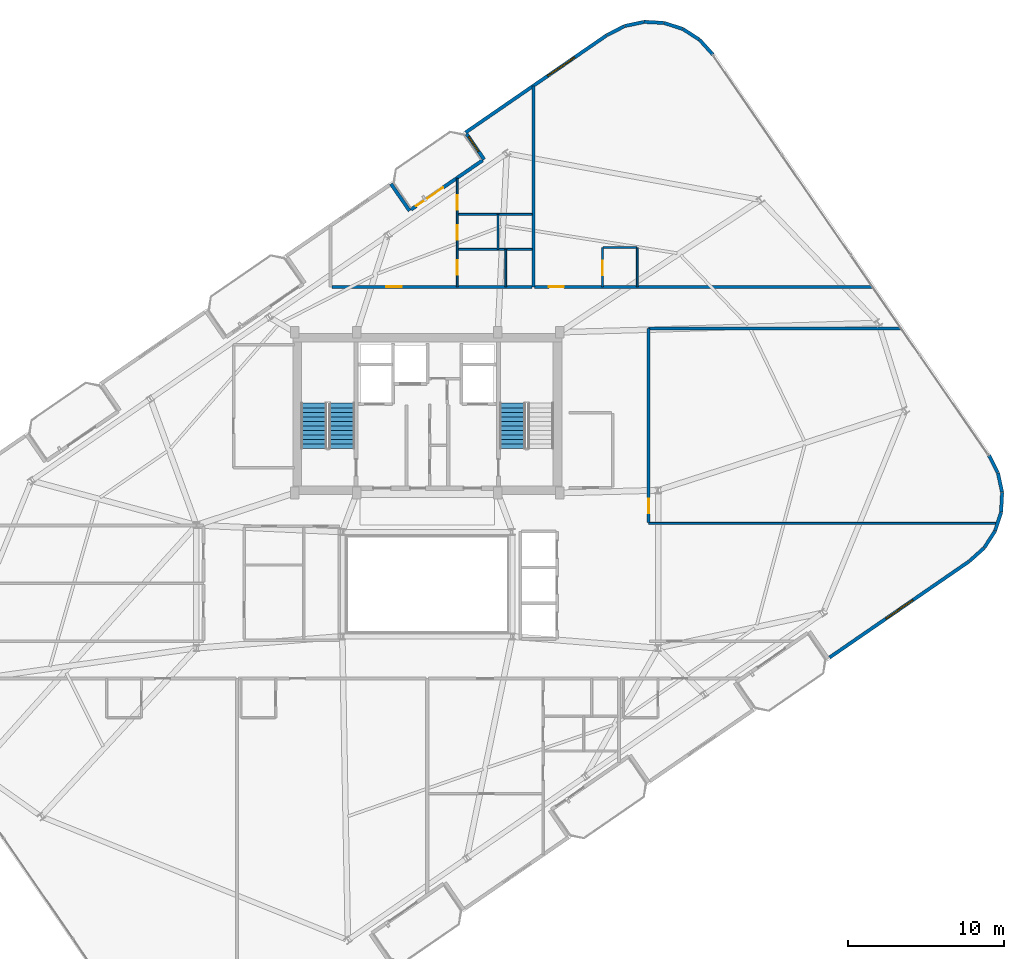
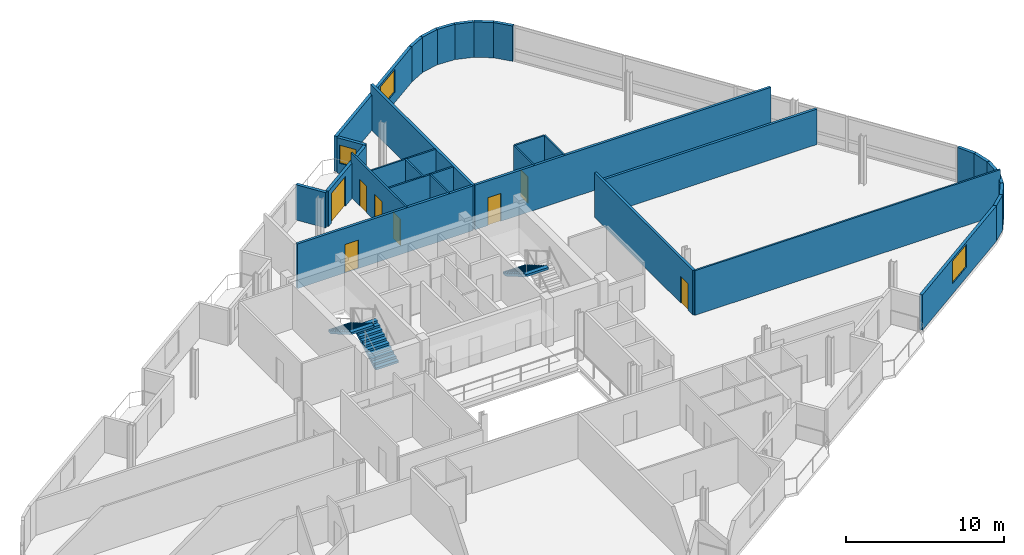
# One storey, part 17 of 21: 31 walls, 8 doors, 3 stair flights, 3 windows, 11 openings, 2 elements without a shape of their own.
"""IFC4 building model written with IfcOpenShell, lengths in metres."""

import ifcopenshell
import ifcopenshell.guid

model = None  # the IFC model being written
_history = None  # IfcOwnerHistory: only IFC2X3 demands one
_inside = {}  # id of a spatial element -> (the spatial element, [elements in it])
_under = {}  # id of a project, library or spatial element -> (it, [spatial elements below it])
_declared = {}  # id of a project -> (the project, [libraries it declares])
_typed = {}  # id of a type object -> (the type object, [elements of that type])
_made_of = {}  # id of a material, layer set ... -> (it, [elements and type objects made of it])


def new_model(schema):
    """Start an empty IFC model of exactly this schema.

    Asked for "IFC4X3", IfcOpenShell would pick the latest addendum, in which some entities
    have other attributes; the version numbers below select the first issue.
    IFC2X3 requires an IfcOwnerHistory on every rooted entity: one is made here for all.
    """
    global model, _history
    if schema == "IFC4X3":
        model = ifcopenshell.file(schema_version=(4, 3, 0, 0))
    else:
        model = ifcopenshell.file(schema=schema)
    _inside.clear()
    _under.clear()
    _declared.clear()
    _typed.clear()
    _made_of.clear()
    _history = None
    if model.schema == "IFC2X3":
        org = make("IfcOrganization", Name="unknown")
        user = make(
            "IfcPersonAndOrganization",
            ThePerson=make("IfcPerson", FamilyName="unknown"),
            TheOrganization=org,
        )
        app = make(
            "IfcApplication",
            ApplicationDeveloper=org,
            Version="unknown",
            ApplicationFullName="unknown",
            ApplicationIdentifier="unknown",
        )
        _history = make(
            "IfcOwnerHistory",
            OwningUser=user,
            OwningApplication=app,
            ChangeAction="ADDED",
            CreationDate=0,
        )
    return model


def make(cls, **values):
    """One entity of the class cls with the attributes given. An attribute that is None is left unset."""
    return model.create_entity(
        cls, **{name: value for name, value in values.items() if value is not None}
    )


def rooted(cls, **values):
    """An entity with a GlobalId (a new one), such as an element, a storey or a relation."""
    return make(cls, GlobalId=ifcopenshell.guid.new(), OwnerHistory=_history, **values)


def si_unit(unit_type, name, prefix=None):
    """IfcSIUnit, for example si_unit("LENGTHUNIT", "METRE", prefix="MILLI")."""
    return make("IfcSIUnit", UnitType=unit_type, Prefix=prefix, Name=name)


def assignment(units):
    """IfcUnitAssignment: the units of a project."""
    return None if units is None else make("IfcUnitAssignment", Units=units)


def point(xyz):
    """IfcCartesianPoint."""
    return None if xyz is None else make("IfcCartesianPoint", Coordinates=xyz)


def direction(xyz):
    """IfcDirection."""
    return None if xyz is None else make("IfcDirection", DirectionRatios=xyz)


def frame(location, z_axis=None, x_axis=None):
    """IfcAxis2Placement3D, a coordinate frame: its origin and axes. An axis left out is left unset."""
    return make(
        "IfcAxis2Placement3D",
        Location=point(location),
        Axis=direction(z_axis),
        RefDirection=direction(x_axis),
    )


def frame_2d(location, x_axis=None):
    """IfcAxis2Placement2D, a coordinate frame in the plane: its origin and x axis."""
    return make(
        "IfcAxis2Placement2D", Location=point(location), RefDirection=direction(x_axis)
    )


def origin():
    """The frame at (0, 0, 0) with its axes left unset."""
    return frame((0.0, 0.0, 0.0))


def place(relative_to, where):
    """IfcLocalPlacement: puts the frame where relative to a parent placement (None: the world)."""
    return make(
        "IfcLocalPlacement", PlacementRelTo=relative_to, RelativePlacement=where
    )


def context(
    kind, dimensions, precision=None, world=None, true_north=None, identifier=None
):
    """IfcGeometricRepresentationContext, for example the 3D "Model" context."""
    return make(
        "IfcGeometricRepresentationContext",
        ContextIdentifier=identifier,
        ContextType=kind,
        CoordinateSpaceDimension=dimensions,
        Precision=precision,
        WorldCoordinateSystem=world,
        TrueNorth=true_north,
    )


def subcontext(parent, identifier, kind, view, scale=None):
    """IfcGeometricRepresentationSubContext, for example "Body" below "Model"."""
    return make(
        "IfcGeometricRepresentationSubContext",
        ContextIdentifier=identifier,
        ContextType=kind,
        ParentContext=parent,
        TargetScale=scale,
        TargetView=view,
    )


def project(units=None, contexts=None):
    """IfcProject with its units and contexts."""
    return rooted(
        "IfcProject",
        Name="project",
        RepresentationContexts=contexts,
        UnitsInContext=assignment(units),
    )


def spatial(cls, under=None, at=None, **own):
    """A site, building, storey or space (cls), placed at a placement, below another one or the project."""
    s = rooted(cls, ObjectPlacement=at, **own)
    if under is not None:
        _under.setdefault(under.id(), (under, []))[1].append(s)
    return s


def polyline(points):
    """IfcPolyline through the points."""
    return make("IfcPolyline", Points=[point(p) for p in points])


def profile(cls, at=None, kind="AREA", **sizes):
    """A parametric profile (cls). Its sizes go by their IFC names, for example OverallWidth=200.0."""
    return make(cls, ProfileType=kind, Position=at, **sizes)


def rectangle(**sizes):
    """IfcRectangleProfileDef."""
    return profile("IfcRectangleProfileDef", **sizes)


def outline(outer, holes=None, kind="AREA"):
    """IfcArbitraryClosedProfileDef: a profile drawn as a closed curve; with holes, ...WithVoids."""
    if holes is None:
        return make("IfcArbitraryClosedProfileDef", ProfileType=kind, OuterCurve=outer)
    return make(
        "IfcArbitraryProfileDefWithVoids",
        ProfileType=kind,
        OuterCurve=outer,
        InnerCurves=holes,
    )


def extrude(swept, where, along, depth):
    """IfcExtrudedAreaSolid: the profile swept, set in the frame where, extruded along a direction by depth."""
    return make(
        "IfcExtrudedAreaSolid",
        SweptArea=swept,
        Position=where,
        ExtrudedDirection=direction(along),
        Depth=depth,
    )


def shape(context_of_items, identifier, shape_type, items):
    """IfcShapeRepresentation: the items that make up one representation, for example the "Body"."""
    return make(
        "IfcShapeRepresentation",
        ContextOfItems=context_of_items,
        RepresentationIdentifier=identifier,
        RepresentationType=shape_type,
        Items=items,
    )


def material(Name=None, Category=None):
    """IfcMaterial."""
    return make("IfcMaterial", Name=Name, Category=Category)


def layer(
    of_material, thickness, ventilated=None, Name=None, Category=None, Priority=None
):
    """IfcMaterialLayer: one layer of a wall or slab, of a material (None: an air gap)."""
    return make(
        "IfcMaterialLayer",
        Material=of_material,
        LayerThickness=thickness,
        IsVentilated=ventilated,
        Name=Name,
        Category=Category,
        Priority=Priority,
    )


def layer_set(layers, Name=None):
    """IfcMaterialLayerSet."""
    return make("IfcMaterialLayerSet", MaterialLayers=layers, LayerSetName=Name)


def made_of(thing, what):
    """Note that an element or type object is made of a material, layer set ...; save() writes the relation."""
    if what is not None:
        _made_of.setdefault(what.id(), (what, []))[1].append(thing)
    return thing


def type_object(cls, material=None, **own):
    """A type object (cls), such as IfcWallType, which elements share."""
    return made_of(rooted(cls, **own), material)


def element(
    cls,
    number,
    at=None,
    inside=None,
    cuts=None,
    type_object=None,
    material=None,
    context=None,
    identifier="Body",
    shape_type=None,
    held_by="IfcProductDefinitionShape",
    body=None,
    shapes=None,
    **own,
):
    """One element of the class cls, such as IfcWall. Its Tag is "e" and its number.

    at: its placement. inside: the storey or other place that contains it. cuts: it is an
    opening in that element (IfcRelVoidsElement). A single representation is given by context,
    identifier, shape_type and body (its items); several are given by shapes. held_by: the class
    of the entity that holds the representations. save() writes the other relations.
    """
    e = rooted(cls, Tag="e%d" % number, ObjectPlacement=at, **own)
    if body is not None:
        shapes = [shape(context, identifier, shape_type, body)]
    if shapes is not None:
        e.Representation = make(held_by, Representations=shapes)
    if inside is not None:
        _inside.setdefault(inside.id(), (inside, []))[1].append(e)
    if cuts is not None:
        rooted(
            "IfcRelVoidsElement", RelatingBuildingElement=cuts, RelatedOpeningElement=e
        )
    if type_object is not None:
        _typed.setdefault(type_object.id(), (type_object, []))[1].append(e)
    return made_of(e, material)


def fill(opening, filler):
    """IfcRelFillsElement: the door or window that sits in an opening."""
    return rooted(
        "IfcRelFillsElement",
        RelatingOpeningElement=opening,
        RelatedBuildingElement=filler,
    )


def aggregate(whole, parts):
    """IfcRelAggregates: a whole, such as a stair, and the parts it consists of."""
    return rooted("IfcRelAggregates", RelatingObject=whole, RelatedObjects=parts)


def save(model, path):
    """Write the relations noted so far, then the file.

    IfcRelAggregates (storeys below a building ...), IfcRelContainedInSpatialStructure (elements
    in a storey), IfcRelDefinesByType, IfcRelAssociatesMaterial and IfcRelDeclares: one each for
    every whole, place, type object, material and project.
    """
    for whole, parts in _under.values():
        aggregate(whole, parts)
    for where, things in _inside.values():
        rooted(
            "IfcRelContainedInSpatialStructure",
            RelatedElements=things,
            RelatingStructure=where,
        )
    for kind, things in _typed.values():
        rooted("IfcRelDefinesByType", RelatedObjects=things, RelatingType=kind)
    for what, things in _made_of.values():
        rooted("IfcRelAssociatesMaterial", RelatedObjects=things, RelatingMaterial=what)
    for by, libraries in _declared.values():
        rooted("IfcRelDeclares", RelatingContext=by, RelatedDefinitions=libraries)
    model.write(path)


model = new_model("IFC4")

# Units and contexts
model_context = context("Model", 3, precision=1e-05, world=origin(), true_north=direction((0.0, 1.0)))
body_context = subcontext(model_context, "Body", "Model", "MODEL_VIEW")
ifc_project = project(units=[si_unit("LENGTHUNIT", "METRE"), si_unit("AREAUNIT", "SQUARE_METRE"), si_unit("VOLUMEUNIT", "CUBIC_METRE"), si_unit("PLANEANGLEUNIT", "RADIAN"), si_unit("MASSUNIT", "GRAM", prefix="KILO")], contexts=[model_context])

# Site, building, storey
site_placement = place(None, origin())
site = spatial("IfcSite", under=ifc_project, at=site_placement, CompositionType="ELEMENT")
building_placement = place(site_placement, origin())
building = spatial("IfcBuilding", under=site, at=building_placement, Name="Varnelok Gate Tower", CompositionType="ELEMENT")
storey_placement = place(building_placement, frame((0.0, 0.0, 276.699951171875)))
storey = spatial("IfcBuildingStorey", under=building, at=storey_placement, Name="L71", CompositionType="ELEMENT", Elevation=276.699951171875)

# Wall, opening, door
ifc_material_1 = material(Name="Concrete C45/55", Category="concrete")
ifc_layer_1 = layer(ifc_material_1, 0.219970703125)
ifc_layer_set_1 = layer_set([ifc_layer_1], Name="Concrete C45/55")
wall_type_1 = type_object("IfcWallType", Name="EW-BALC-220", PredefinedType="SOLIDWALL", material=ifc_layer_set_1)
wall_1_placement = place(storey_placement, frame((38.15625, 46.91162109375, 0.0), z_axis=(0.0, 0.0, 1.0), x_axis=(0.823527178548, 0.567276816195, 0.0)))
wall_1 = element("IfcWall", 1, at=wall_1_placement, inside=storey, type_object=wall_type_1, Name="L71 North Terrace Envelope Wall 6", PredefinedType="SOLIDWALL", context=body_context, shape_type="SweptSolid", body=[
    extrude(rectangle(XDim=5.56689453125, YDim=0.219970703125, at=frame_2d((2.783447265625, 0.0))), origin(), (0.0, 0.0, 1.0), 2.72998046875),
])
opening_1_placement = place(wall_1_placement, frame((0.39990234375, 0.0, 0.0)))
opening_1 = element("IfcOpeningElement", 2, at=opening_1_placement, cuts=wall_1, Name="Opening BD-2", PredefinedType="OPENING", context=body_context, shape_type="SweptSolid", body=[
    extrude(rectangle(XDim=2.10009765625, YDim=2.300048828125, at=frame_2d((1.050048828125, 1.14990234375))), frame((0.0, 0.119873046875, 0.0), z_axis=(0.0, -1.0, 0.0), x_axis=(1.0, 0.0, 0.0)), (0.0, 0.0, 1.0), 0.239990234375),
])
ifc_material_2 = material(Name="Anodized Aluminum Alloy 6063-T6", Category="aluminium")
door_type_1 = type_object("IfcDoorType", Name="DR-EXT-SLID2100", OperationType="SLIDING_TO_LEFT", PredefinedType="DOOR", material=ifc_material_2)
door_1_placement = place(opening_1_placement, origin())
door_1 = element("IfcDoor", 3, at=door_1_placement, inside=storey, type_object=door_type_1, Name="L71 North Balcony Glazed Door 6", OperationType="SLIDING_TO_LEFT", OverallHeight=2.300048828125, OverallWidth=2.10009765625, PredefinedType="DOOR", context=body_context, shape_type="SweptSolid", body=[
    extrude(rectangle(XDim=2.10009765625, YDim=2.300048828125, at=frame_2d((1.050048828125, 1.14990234375))), frame((0.0, 0.02490234375, 0.0), z_axis=(0.0, -1.0, 0.0), x_axis=(1.0, 0.0, 0.0)), (0.0, 0.0, 1.0), 0.050048828125),
])
fill(opening_1, door_1)

# Wall, opening, window
wall_2_placement = place(storey_placement, frame((64.9921875, 18.197998046875, 0.0), z_axis=(0.0, 0.0, 1.0), x_axis=(0.823538117322, 0.56726093583, 0.0)))
wall_2 = element("IfcWall", 4, at=wall_2_placement, inside=storey, type_object=wall_type_1, Name="L71 Perimeter Facade Closure Wall 16", PredefinedType="SOLIDWALL", context=body_context, shape_type="SweptSolid", body=[
    extrude(rectangle(XDim=10.880126953125, YDim=0.219970703125, at=frame_2d((5.43994140625, 0.0))), origin(), (0.0, 0.0, 1.0), 2.72998046875),
])
opening_2_placement = place(wall_2_placement, frame((4.39013671875, 0.0, 0.800048828125)))
opening_2 = element("IfcOpeningElement", 5, at=opening_2_placement, cuts=wall_2, Name="Opening WN4", PredefinedType="OPENING", context=body_context, shape_type="SweptSolid", body=[
    extrude(rectangle(XDim=2.10009765625, YDim=1.75, at=frame_2d((1.050048828125, 0.875))), frame((0.0, 0.119873046875, 0.0), z_axis=(0.0, -1.0, 0.0), x_axis=(1.0, 0.0, 0.0)), (0.0, 0.0, 1.0), 0.239990234375),
])
ifc_material_3 = material(Name="Low-E Laminated Double Glazing IGU", Category="glass")
window_type_1 = type_object("IfcWindowType", Name="WN-SUI-2100", PartitioningType="SINGLE_PANEL", PredefinedType="WINDOW", material=ifc_material_3)
window_1_placement = place(opening_2_placement, origin())
window_1 = element("IfcWindow", 6, at=window_1_placement, inside=storey, type_object=window_type_1, Name="L71 Perimeter Vision Window 16", OverallHeight=1.75, OverallWidth=2.10009765625, PartitioningType="SINGLE_PANEL", PredefinedType="WINDOW", context=body_context, shape_type="SweptSolid", body=[
    extrude(rectangle(XDim=2.10009765625, YDim=1.75, at=frame_2d((1.050048828125, 0.875))), frame((0.0, 0.030029296875, 0.0), z_axis=(0.0, -1.0, 0.0), x_axis=(1.0, 0.0, 0.0)), (0.0, 0.0, 1.0), 0.06005859375),
])
fill(opening_2, window_1)

# Walls
wall_3_placement = place(storey_placement, frame((73.970947265625, 24.38671875, 0.0), z_axis=(0.0, 0.0, 1.0), x_axis=(0.742501517089, 0.669844382764, 0.0)))
element("IfcWall", 7, at=wall_3_placement, inside=storey, type_object=wall_type_1, Name="L71 Perimeter Facade Closure Wall 17", PredefinedType="SOLIDWALL", context=body_context, shape_type="SweptSolid", body=[
    extrude(rectangle(XDim=1.256591796875, YDim=0.219970703125, at=frame_2d((0.62841796875, 0.0))), origin(), (0.0, 0.0, 1.0), 2.72998046875),
])
wall_4_placement = place(storey_placement, frame((74.91748046875, 25.24951171875, 0.0), z_axis=(0.0, 0.0, 1.0), x_axis=(0.543778157277, 0.839229000731, 0.0)))
element("IfcWall", 8, at=wall_4_placement, inside=storey, type_object=wall_type_1, Name="L71 Perimeter Facade Closure Wall 18", PredefinedType="SOLIDWALL", context=body_context, shape_type="SweptSolid", body=[
    extrude(rectangle(XDim=1.24853515625, YDim=0.219970703125, at=frame_2d((0.624267578125, 0.0))), origin(), (0.0, 0.0, 1.0), 2.72998046875),
])
for number, where, z_axis, x_axis, name in (
    (9, (75.604248046875, 26.321044921875, 0.0), (0.0, 0.0, 1.0), (0.307945220076, 0.951404089455, 0.0), "L71 Perimeter Facade Closure Wall 19"),
    (10, (75.989990234375, 27.533935546875, 0.0), (0.0, 0.0, 1.0), (0.05141975041, 0.998677129641, 0.0), "L71 Perimeter Facade Closure Wall 20"),
    (11, (76.048828125, 28.805419921875, 0.0), (0.0, 0.0, 1.0), (-0.208808017511, 0.977956651301, 0.0), "L71 Perimeter Facade Closure Wall 21"),
    (12, (75.776611328125, 30.048828125, 0.0), (0.0, 0.0, 1.0), (-0.454938817534, 0.890522696118, 0.0), "L71 Perimeter Facade Closure Wall 22"),
):
    element("IfcWall", number, at=place(storey_placement, frame(where, z_axis=z_axis, x_axis=x_axis)), inside=storey, type_object=wall_type_1, Name=name, PredefinedType="SOLIDWALL", context=body_context, shape_type="SweptSolid", body=[
        extrude(rectangle(XDim=1.248779296875, YDim=0.219970703125, at=frame_2d((0.62451171875, 0.0))), origin(), (0.0, 0.0, 1.0), 2.72998046875),
    ])
wall_5_placement = place(storey_placement, frame((57.509765625, 56.85498046875, 0.0), z_axis=(0.0, 0.0, 1.0), x_axis=(-0.669853727156, 0.742493086982, 0.0)))
element("IfcWall", 13, at=wall_5_placement, inside=storey, type_object=wall_type_1, Name="L71 Perimeter Facade Closure Wall 23", PredefinedType="SOLIDWALL", context=body_context, shape_type="SweptSolid", body=[
    extrude(rectangle(XDim=1.27392578125, YDim=0.219970703125, at=frame_2d((0.636962890625, 0.0))), origin(), (0.0, 0.0, 1.0), 2.72998046875),
])
wall_6_placement = place(storey_placement, frame((56.635498046875, 57.814208984375, 0.0), z_axis=(0.0, 0.0, 1.0), x_axis=(-0.839229000731, 0.543778157277, 0.0)))
element("IfcWall", 14, at=wall_6_placement, inside=storey, type_object=wall_type_1, Name="L71 Perimeter Facade Closure Wall 24", PredefinedType="SOLIDWALL", context=body_context, shape_type="SweptSolid", body=[
    extrude(rectangle(XDim=1.24853515625, YDim=0.219970703125, at=frame_2d((0.624267578125, 0.0))), origin(), (0.0, 0.0, 1.0), 2.72998046875),
])
for number, where, z_axis, x_axis, name in (
    (15, (55.56396484375, 58.5009765625, 0.0), (0.0, 0.0, 1.0), (-0.951404089455, 0.307945220076, 0.0), "L71 Perimeter Facade Closure Wall 25"),
    (16, (54.35107421875, 58.88671875, 0.0), (0.0, 0.0, 1.0), (-0.998687150602, 0.051224752047, 0.0), "L71 Perimeter Facade Closure Wall 26"),
    (17, (53.07958984375, 58.945556640625, 0.0), (0.0, 0.0, 1.0), (-0.977956651301, -0.208808017511, 0.0), "L71 Perimeter Facade Closure Wall 27"),
):
    element("IfcWall", number, at=place(storey_placement, frame(where, z_axis=z_axis, x_axis=x_axis)), inside=storey, type_object=wall_type_1, Name=name, PredefinedType="SOLIDWALL", context=body_context, shape_type="SweptSolid", body=[
        extrude(rectangle(XDim=1.248779296875, YDim=0.219970703125, at=frame_2d((0.62451171875, 0.0))), origin(), (0.0, 0.0, 1.0), 2.72998046875),
    ])
wall_7_placement = place(storey_placement, frame((51.836181640625, 58.67333984375, 0.0), z_axis=(0.0, 0.0, 1.0), x_axis=(-0.890586847538, -0.454813222095, 0.0)))
element("IfcWall", 18, at=wall_7_placement, inside=storey, type_object=wall_type_1, Name="L71 Perimeter Facade Closure Wall 28", PredefinedType="SOLIDWALL", context=body_context, shape_type="SweptSolid", body=[
    extrude(rectangle(XDim=1.256591796875, YDim=0.219970703125, at=frame_2d((0.62841796875, 0.0))), origin(), (0.0, 0.0, 1.0), 2.72998046875),
])

# Wall, opening, window
wall_8_placement = place(storey_placement, frame((50.696533203125, 58.08740234375, 0.0), z_axis=(0.0, 0.0, 1.0), x_axis=(-0.823539455464, -0.567258993137, 0.0)))
wall_8 = element("IfcWall", 19, at=wall_8_placement, inside=storey, type_object=wall_type_1, Name="L71 Perimeter Facade Closure Wall 29", PredefinedType="SOLIDWALL", context=body_context, shape_type="SweptSolid", body=[
    extrude(rectangle(XDim=10.97998046875, YDim=0.219970703125, at=frame_2d((5.489990234375, 0.0))), origin(), (0.0, 0.0, 1.0), 2.72998046875),
])
opening_3_placement = place(wall_8_placement, frame((2.486328125, 0.0, 0.800048828125)))
opening_3 = element("IfcOpeningElement", 20, at=opening_3_placement, cuts=wall_8, Name="Opening WN4", PredefinedType="OPENING", context=body_context, shape_type="SweptSolid", body=[
    extrude(rectangle(XDim=2.10009765625, YDim=1.75, at=frame_2d((1.050048828125, 0.875))), frame((0.0, 0.119873046875, 0.0), z_axis=(0.0, -1.0, 0.0), x_axis=(1.0, 0.0, 0.0)), (0.0, 0.0, 1.0), 0.239990234375),
])
window_2_placement = place(opening_3_placement, origin())
window_2 = element("IfcWindow", 21, at=window_2_placement, inside=storey, type_object=window_type_1, Name="L71 Perimeter Vision Window 29", OverallHeight=1.75, OverallWidth=2.10009765625, PartitioningType="SINGLE_PANEL", PredefinedType="WINDOW", context=body_context, shape_type="SweptSolid", body=[
    extrude(rectangle(XDim=2.10009765625, YDim=1.75, at=frame_2d((1.050048828125, 0.875))), frame((0.0, 0.030029296875, 0.0), z_axis=(0.0, -1.0, 0.0), x_axis=(1.0, 0.0, 0.0)), (0.0, 0.0, 1.0), 0.06005859375),
])
fill(opening_3, window_2)

wall_9_placement = place(storey_placement, frame((41.724853515625, 51.755859375, 0.0), z_axis=(0.0, 0.0, 1.0), x_axis=(0.567273565974, -0.823529417415, 0.0)))
wall_9 = element("IfcWall", 22, at=wall_9_placement, inside=storey, type_object=wall_type_1, Name="L71 Perimeter Facade Closure Wall 30", PredefinedType="SOLIDWALL", context=body_context, shape_type="SweptSolid", body=[
    extrude(rectangle(XDim=1.97509765625, YDim=0.219970703125, at=frame_2d((0.987548828125, 0.0))), origin(), (0.0, 0.0, 1.0), 2.72998046875),
])
opening_4_placement = place(wall_9_placement, frame((0.199951171875, 0.0, 0.800048828125)))
opening_4 = element("IfcOpeningElement", 23, at=opening_4_placement, cuts=wall_9, Name="Opening WN8", PredefinedType="OPENING", context=body_context, shape_type="SweptSolid", body=[
    extrude(rectangle(XDim=1.14990234375, YDim=1.39990234375, at=frame_2d((0.574951171875, 0.699951171875))), frame((0.0, 0.119873046875, 0.0), z_axis=(0.0, -1.0, 0.0), x_axis=(1.0, 0.0, 0.0)), (0.0, 0.0, 1.0), 0.239990234375),
])
window_type_2 = type_object("IfcWindowType", Name="WN-BED-1150", PartitioningType="SINGLE_PANEL", PredefinedType="WINDOW", material=ifc_material_3)
window_3_placement = place(opening_4_placement, origin())
window_3 = element("IfcWindow", 24, at=window_3_placement, inside=storey, type_object=window_type_2, Name="L71 Bedroom Vision Window 51", OverallHeight=1.39990234375, OverallWidth=1.14990234375, PartitioningType="SINGLE_PANEL", PredefinedType="WINDOW", context=body_context, shape_type="SweptSolid", body=[
    extrude(rectangle(XDim=1.14990234375, YDim=1.39990234375, at=frame_2d((0.574951171875, 0.699951171875))), frame((0.0, 0.030029296875, 0.0), z_axis=(0.0, -1.0, 0.0), x_axis=(1.0, 0.0, 0.0)), (0.0, 0.0, 1.0), 0.06005859375),
])
fill(opening_4, window_3)

# Wall
wall_10_placement = place(storey_placement, frame((38.06298828125, 46.835205078125, 0.0), z_axis=(0.0, 0.0, 1.0), x_axis=(-0.567219383419, 0.823566737474, 0.0)))
element("IfcWall", 25, at=wall_10_placement, inside=storey, type_object=wall_type_1, Name="L71 Perimeter Facade Closure Wall 31", PredefinedType="SOLIDWALL", context=body_context, shape_type="SweptSolid", body=[
    extrude(rectangle(XDim=2.10009765625, YDim=0.219970703125, at=frame_2d((1.050048828125, 0.0))), origin(), (0.0, 0.0, 1.0), 2.72998046875),
])

# Wall, opening, door
ifc_material_4 = material(Name="Gypsum Plasterboard Acoustic Partition", Category="gypsum")
ifc_layer_2 = layer(ifc_material_4, 0.179931640625)
ifc_layer_set_2 = layer_set([ifc_layer_2], Name="Gypsum Plasterboard Acoustic Partition")
wall_type_2 = type_object("IfcWallType", Name="PW-CORR-180", PredefinedType="PARTITIONING", material=ifc_layer_set_2)
wall_11_placement = place(storey_placement, frame((33.080078125, 41.9599609375, 0.0), z_axis=(0.0, 0.0, 1.0), x_axis=(1.0, 0.0, 0.0)))
wall_11 = element("IfcWall", 26, at=wall_11_placement, inside=storey, type_object=wall_type_2, Name="Interior Partition", PredefinedType="PARTITIONING", context=body_context, shape_type="SweptSolid", body=[
    extrude(rectangle(XDim=12.83984375, YDim=0.179931640625, at=frame_2d((6.419921875, 0.0))), origin(), (0.0, 0.0, 1.0), 3.449951171875),
])
opening_5_placement = place(wall_11_placement, frame((3.485107421875, 0.0, 0.0)))
opening_5 = element("IfcOpeningElement", 27, at=opening_5_placement, cuts=wall_11, Name="Opening D-AP", PredefinedType="OPENING", context=body_context, shape_type="SweptSolid", body=[
    extrude(rectangle(XDim=1.0, YDim=2.199951171875, at=frame_2d((0.5, 1.10009765625))), frame((0.0, 0.099853515625, 0.0), z_axis=(0.0, -1.0, 0.0), x_axis=(1.0, 0.0, 0.0)), (0.0, 0.0, 1.0), 0.199951171875),
])
ifc_material_5 = material(Name="Engineered Hardwood Timber", Category="wood")
door_type_2 = type_object("IfcDoorType", Name="DR-APT-1000", OperationType="NOTDEFINED", PredefinedType="DOOR", material=ifc_material_5)
door_2_placement = place(opening_5_placement, origin())
door_2 = element("IfcDoor", 28, at=door_2_placement, inside=storey, type_object=door_type_2, Name="L71 North Apartment 6 Entrance Door", OperationType="SINGLE_SWING_RIGHT", OverallHeight=2.199951171875, OverallWidth=1.0, PredefinedType="DOOR", context=body_context, shape_type="SweptSolid", body=[
    extrude(rectangle(XDim=1.0, YDim=2.199951171875, at=frame_2d((0.5, 1.10009765625))), frame((0.0, 0.02490234375, 0.0), z_axis=(0.0, -1.0, 0.0), x_axis=(1.0, 0.0, 0.0)), (0.0, 0.0, 1.0), 0.050048828125),
])
fill(opening_5, door_2)

wall_12_placement = place(storey_placement, frame((46.080078125, 41.9599609375, 0.0), z_axis=(0.0, 0.0, 1.0), x_axis=(1.0, 0.0, 0.0)))
wall_12 = element("IfcWall", 29, at=wall_12_placement, inside=storey, type_object=wall_type_2, Name="Interior Partition", PredefinedType="PARTITIONING", context=body_context, shape_type="SweptSolid", body=[
    extrude(rectangle(XDim=21.626708984375, YDim=0.179931640625, at=frame_2d((10.8134765625, 0.0))), origin(), (0.0, 0.0, 1.0), 3.449951171875),
])
opening_6_placement = place(wall_12_placement, frame((0.921142578125, 0.0, 0.0)))
opening_6 = element("IfcOpeningElement", 30, at=opening_6_placement, cuts=wall_12, Name="Opening D-HT", PredefinedType="OPENING", context=body_context, shape_type="SweptSolid", body=[
    extrude(rectangle(XDim=0.949951171875, YDim=2.14990234375, at=frame_2d((0.47509765625, 1.074951171875))), frame((0.0, 0.099853515625, 0.0), z_axis=(0.0, -1.0, 0.0), x_axis=(1.0, 0.0, 0.0)), (0.0, 0.0, 1.0), 0.199951171875),
])
door_type_3 = type_object("IfcDoorType", Name="DR-HTL-950", OperationType="NOTDEFINED", PredefinedType="DOOR", material=ifc_material_5)
door_3_placement = place(opening_6_placement, origin())
door_3 = element("IfcDoor", 31, at=door_3_placement, inside=storey, type_object=door_type_3, Name="L71 Guest Room 07 Entrance Door", OperationType="SINGLE_SWING_RIGHT", OverallHeight=2.14990234375, OverallWidth=0.949951171875, PredefinedType="DOOR", context=body_context, shape_type="SweptSolid", body=[
    extrude(rectangle(XDim=0.949951171875, YDim=2.14990234375, at=frame_2d((0.47509765625, 1.074951171875))), frame((0.0, 0.02490234375, 0.0), z_axis=(0.0, -1.0, 0.0), x_axis=(1.0, 0.0, 0.0)), (0.0, 0.0, 1.0), 0.050048828125),
])
fill(opening_6, door_3)

wall_13_placement = place(storey_placement, frame((53.389892578125, 26.840087890625, 0.0), z_axis=(0.0, 0.0, 1.0), x_axis=(0.0, 1.0, 0.0)))
wall_13 = element("IfcWall", 32, at=wall_13_placement, inside=storey, type_object=wall_type_2, Name="Interior Partition", PredefinedType="PARTITIONING", context=body_context, shape_type="SweptSolid", body=[
    extrude(rectangle(XDim=12.4599609375, YDim=0.179931640625, at=frame_2d((6.22998046875, 0.0))), origin(), (0.0, 0.0, 1.0), 3.449951171875),
])
opening_7_placement = place(wall_13_placement, frame((0.6181640625, 0.0, 0.0)))
opening_7 = element("IfcOpeningElement", 33, at=opening_7_placement, cuts=wall_13, Name="Opening D-I3", PredefinedType="OPENING", context=body_context, shape_type="SweptSolid", body=[
    extrude(rectangle(XDim=0.919921875, YDim=2.050048828125, at=frame_2d((0.4599609375, 1.02490234375))), frame((0.0, 0.099853515625, 0.0), z_axis=(0.0, -1.0, 0.0), x_axis=(1.0, 0.0, 0.0)), (0.0, 0.0, 1.0), 0.199951171875),
])
door_type_4 = type_object("IfcDoorType", Name="DR-INT-920", OperationType="NOTDEFINED", PredefinedType="DOOR", material=ifc_material_5)
door_4_placement = place(opening_7_placement, origin())
door_4 = element("IfcDoor", 34, at=door_4_placement, inside=storey, type_object=door_type_4, Name="L71 East Playroom Door", OperationType="SINGLE_SWING_LEFT", OverallHeight=2.050048828125, OverallWidth=0.919921875, PredefinedType="DOOR", context=body_context, shape_type="SweptSolid", body=[
    extrude(rectangle(XDim=0.919921875, YDim=2.050048828125, at=frame_2d((0.4599609375, 1.02490234375))), frame((0.0, 0.02490234375, 0.0), z_axis=(0.0, -1.0, 0.0), x_axis=(1.0, 0.0, 0.0)), (0.0, 0.0, 1.0), 0.050048828125),
])
fill(opening_7, door_4)

# Walls
wall_14_placement = place(storey_placement, frame((53.389892578125, 39.300048828125, 0.0), z_axis=(0.0, 0.0, 1.0), x_axis=(1.0, 0.0, 0.0)))
element("IfcWall", 35, at=wall_14_placement, inside=storey, type_object=wall_type_2, Name="Interior Partition", PredefinedType="PARTITIONING", context=body_context, shape_type="SweptSolid", body=[
    extrude(rectangle(XDim=16.149169921875, YDim=0.179931640625, at=frame_2d((8.07470703125, 0.0))), origin(), (0.0, 0.0, 1.0), 2.739013671875),
])
ifc_layer_3 = layer(ifc_material_4, 0.114990234375)
ifc_layer_set_3 = layer_set([ifc_layer_3], Name="Gypsum Plasterboard Acoustic Partition")
wall_type_3 = type_object("IfcWallType", Name="PW-ENS-125", PredefinedType="PARTITIONING", material=ifc_layer_set_3)
wall_15_placement = place(storey_placement, frame((41.18994140625, 46.610107421875, 0.0), z_axis=(0.0, 0.0, 1.0), x_axis=(1.0, 0.0, 0.0)))
element("IfcWall", 36, at=wall_15_placement, inside=storey, type_object=wall_type_3, Name="Interior Partition", PredefinedType="PARTITIONING", context=body_context, shape_type="SweptSolid", body=[
    extrude(rectangle(XDim=4.72998046875, YDim=0.114990234375, at=frame_2d((2.364990234375, 0.0))), origin(), (0.0, 0.0, 1.0), 3.449951171875),
])
wall_16_placement = place(storey_placement, frame((43.72998046875, 44.3701171875, 0.0), z_axis=(0.0, 0.0, 1.0), x_axis=(0.0, 1.0, 0.0)))
element("IfcWall", 37, at=wall_16_placement, inside=storey, type_object=wall_type_3, Name="Interior Partition", PredefinedType="PARTITIONING", context=body_context, shape_type="SweptSolid", body=[
    extrude(rectangle(XDim=2.239990234375, YDim=0.114990234375, at=frame_2d((1.1201171875, 0.0))), origin(), (0.0, 0.0, 1.0), 3.449951171875),
])
wall_17_placement = place(storey_placement, frame((50.469970703125, 44.47998046875, 0.0), z_axis=(0.0, 0.0, 1.0), x_axis=(1.0, 0.0, 0.0)))
element("IfcWall", 38, at=wall_17_placement, inside=storey, type_object=wall_type_3, Name="Interior Partition", PredefinedType="PARTITIONING", context=body_context, shape_type="SweptSolid", body=[
    extrude(rectangle(XDim=2.150146484375, YDim=0.114990234375, at=frame_2d((1.0751953125, 0.0))), origin(), (0.0, 0.0, 1.0), 3.449951171875),
])

# Wall, opening, door
wall_18_placement = place(storey_placement, frame((50.429931640625, 41.9599609375, 0.0), z_axis=(0.0, 0.0, 1.0), x_axis=(0.0, 1.0, 0.0)))
wall_18 = element("IfcWall", 39, at=wall_18_placement, inside=storey, type_object=wall_type_3, Name="Interior Partition", PredefinedType="PARTITIONING", context=body_context, shape_type="SweptSolid", body=[
    extrude(rectangle(XDim=2.52001953125, YDim=0.114990234375, at=frame_2d((1.260009765625, 0.0))), origin(), (0.0, 0.0, 1.0), 3.449951171875),
])
opening_8_placement = place(wall_18_placement, frame((0.760009765625, 0.0, 0.0)))
opening_8 = element("IfcOpeningElement", 40, at=opening_8_placement, cuts=wall_18, Name="Opening D-WC", PredefinedType="OPENING", context=body_context, shape_type="SweptSolid", body=[
    extrude(rectangle(XDim=0.89990234375, YDim=2.050048828125, at=frame_2d((0.449951171875, 1.02490234375))), frame((0.0, 0.0673828125, 0.0), z_axis=(0.0, -1.0, 0.0), x_axis=(1.0, 0.0, 0.0)), (0.0, 0.0, 1.0), 0.135009765625),
])
door_type_5 = type_object("IfcDoorType", Name="DR-BATH-900", OperationType="NOTDEFINED", PredefinedType="DOOR", material=ifc_material_5)
door_5_placement = place(opening_8_placement, origin())
door_5 = element("IfcDoor", 41, at=door_5_placement, inside=storey, type_object=door_type_5, Name="L71 North En-Suite 07 Door", OperationType="SINGLE_SWING_LEFT", OverallHeight=2.050048828125, OverallWidth=0.89990234375, PredefinedType="DOOR", context=body_context, shape_type="SweptSolid", body=[
    extrude(rectangle(XDim=0.89990234375, YDim=2.050048828125, at=frame_2d((0.449951171875, 1.02490234375))), frame((0.0, 0.02490234375, 0.0), z_axis=(0.0, -1.0, 0.0), x_axis=(1.0, 0.0, 0.0)), (0.0, 0.0, 1.0), 0.050048828125),
])
fill(opening_8, door_5)

# Wall
wall_19_placement = place(storey_placement, frame((52.659912109375, 41.9599609375, 0.0), z_axis=(0.0, 0.0, 1.0), x_axis=(0.0, 1.0, 0.0)))
element("IfcWall", 42, at=wall_19_placement, inside=storey, type_object=wall_type_3, Name="Interior Partition", PredefinedType="PARTITIONING", context=body_context, shape_type="SweptSolid", body=[
    extrude(rectangle(XDim=2.52001953125, YDim=0.114990234375, at=frame_2d((1.260009765625, 0.0))), origin(), (0.0, 0.0, 1.0), 3.449951171875),
])

# Wall, openings, doors
ifc_layer_4 = layer(ifc_material_4, 0.125)
ifc_layer_set_4 = layer_set([ifc_layer_4], Name="Gypsum Plasterboard Acoustic Partition")
wall_type_4 = type_object("IfcWallType", Name="PW-PART-125", PredefinedType="PARTITIONING", material=ifc_layer_set_4)
wall_20_placement = place(storey_placement, frame((41.1201171875, 41.9599609375, 0.0), z_axis=(0.0, 0.0, 1.0), x_axis=(0.0, 1.0, 0.0)))
wall_20 = element("IfcWall", 43, at=wall_20_placement, inside=storey, type_object=wall_type_4, Name="Interior Partition", PredefinedType="PARTITIONING", context=body_context, shape_type="SweptSolid", body=[
    extrude(rectangle(XDim=6.956787109375, YDim=0.125, at=frame_2d((3.478515625, 0.0))), origin(), (0.0, 0.0, 1.0), 3.449951171875),
])
opening_9_placement = place(wall_20_placement, frame((0.785400390625, 0.0, 0.0)))
opening_9 = element("IfcOpeningElement", 44, at=opening_9_placement, cuts=wall_20, Name="Opening D-I3", PredefinedType="OPENING", context=body_context, shape_type="SweptSolid", body=[
    extrude(rectangle(XDim=0.919921875, YDim=2.050048828125, at=frame_2d((0.4599609375, 1.02490234375))), frame((0.0, 0.072509765625, 0.0), z_axis=(0.0, -1.0, 0.0), x_axis=(1.0, 0.0, 0.0)), (0.0, 0.0, 1.0), 0.14501953125),
])
opening_10_placement = place(wall_20_placement, frame((3.037353515625, 0.0, 0.0)))
opening_10 = element("IfcOpeningElement", 45, at=opening_10_placement, cuts=wall_20, Name="Opening D-WC", PredefinedType="OPENING", context=body_context, shape_type="SweptSolid", body=[
    extrude(rectangle(XDim=0.89990234375, YDim=2.050048828125, at=frame_2d((0.449951171875, 1.02490234375))), frame((0.0, 0.072509765625, 0.0), z_axis=(0.0, -1.0, 0.0), x_axis=(1.0, 0.0, 0.0)), (0.0, 0.0, 1.0), 0.14501953125),
])
opening_11_placement = place(wall_20_placement, frame((4.947509765625, 0.0, 0.0)))
opening_11 = element("IfcOpeningElement", 46, at=opening_11_placement, cuts=wall_20, Name="Opening D-I3", PredefinedType="OPENING", context=body_context, shape_type="SweptSolid", body=[
    extrude(rectangle(XDim=0.919921875, YDim=2.050048828125, at=frame_2d((0.4599609375, 1.02490234375))), frame((0.0, 0.072509765625, 0.0), z_axis=(0.0, -1.0, 0.0), x_axis=(1.0, 0.0, 0.0)), (0.0, 0.0, 1.0), 0.14501953125),
])
door_6_placement = place(opening_10_placement, origin())
door_6 = element("IfcDoor", 47, at=door_6_placement, inside=storey, type_object=door_type_5, Name="L71 North Apt 6 Bathroom Door", OperationType="SINGLE_SWING_RIGHT", OverallHeight=2.050048828125, OverallWidth=0.89990234375, PredefinedType="DOOR", context=body_context, shape_type="SweptSolid", body=[
    extrude(rectangle(XDim=0.89990234375, YDim=2.050048828125, at=frame_2d((0.449951171875, 1.02490234375))), frame((0.0, 0.02490234375, 0.0), z_axis=(0.0, -1.0, 0.0), x_axis=(1.0, 0.0, 0.0)), (0.0, 0.0, 1.0), 0.050048828125),
])
fill(opening_10, door_6)
door_7_placement = place(opening_9_placement, origin())
door_7 = element("IfcDoor", 48, at=door_7_placement, inside=storey, type_object=door_type_4, Name="L71 North Apt 6 Kitchen Door", OperationType="SINGLE_SWING_LEFT", OverallHeight=2.050048828125, OverallWidth=0.919921875, PredefinedType="DOOR", context=body_context, shape_type="SweptSolid", body=[
    extrude(rectangle(XDim=0.919921875, YDim=2.050048828125, at=frame_2d((0.4599609375, 1.02490234375))), frame((0.0, 0.02490234375, 0.0), z_axis=(0.0, -1.0, 0.0), x_axis=(1.0, 0.0, 0.0)), (0.0, 0.0, 1.0), 0.050048828125),
])
fill(opening_9, door_7)
door_8_placement = place(opening_11_placement, origin())
door_8 = element("IfcDoor", 49, at=door_8_placement, inside=storey, type_object=door_type_4, Name="L71 North Apt 6 Bedroom Door", OperationType="SINGLE_SWING_LEFT", OverallHeight=2.050048828125, OverallWidth=0.919921875, PredefinedType="DOOR", context=body_context, shape_type="SweptSolid", body=[
    extrude(rectangle(XDim=0.919921875, YDim=2.050048828125, at=frame_2d((0.4599609375, 1.02490234375))), frame((0.0, 0.02490234375, 0.0), z_axis=(0.0, -1.0, 0.0), x_axis=(1.0, 0.0, 0.0)), (0.0, 0.0, 1.0), 0.050048828125),
])
fill(opening_11, door_8)

# Walls
wall_21_placement = place(storey_placement, frame((41.18994140625, 44.3701171875, 0.0), z_axis=(0.0, 0.0, 1.0), x_axis=(1.0, 0.0, 0.0)))
element("IfcWall", 50, at=wall_21_placement, inside=storey, type_object=wall_type_4, Name="Interior Partition", PredefinedType="PARTITIONING", context=body_context, shape_type="SweptSolid", body=[
    extrude(rectangle(XDim=4.72998046875, YDim=0.125, at=frame_2d((2.364990234375, 0.0))), origin(), (0.0, 0.0, 1.0), 3.449951171875),
])
wall_22_placement = place(storey_placement, frame((44.22998046875, 41.9599609375, 0.0), z_axis=(0.0, 0.0, 1.0), x_axis=(0.0, 1.0, 0.0)))
element("IfcWall", 51, at=wall_22_placement, inside=storey, type_object=wall_type_4, Name="Interior Partition", PredefinedType="PARTITIONING", context=body_context, shape_type="SweptSolid", body=[
    extrude(rectangle(XDim=2.41015625, YDim=0.125, at=frame_2d((1.205078125, 0.0))), origin(), (0.0, 0.0, 1.0), 3.449951171875),
])
wall_23_placement = place(storey_placement, frame((53.389892578125, 26.800048828125, 0.0), z_axis=(0.0, 0.0, 1.0), x_axis=(1.0, 0.0, 0.0)))
element("IfcWall", 52, at=wall_23_placement, inside=storey, type_object=wall_type_4, Name="Interior Partition", PredefinedType="PARTITIONING", context=body_context, shape_type="SweptSolid", body=[
    extrude(rectangle(XDim=22.348388671875, YDim=0.125, at=frame_2d((11.17431640625, 0.0))), origin(), (0.0, 0.0, 1.0), 3.449951171875),
])
ifc_layer_5 = layer(ifc_material_4, 0.205078125)
ifc_layer_set_5 = layer_set([ifc_layer_5], Name="Gypsum Plasterboard Acoustic Partition")
wall_type_5 = type_object("IfcWallType", Name="PW-PARTY-200", PredefinedType="PARTITIONING", material=ifc_layer_set_5)
wall_24_placement = place(storey_placement, frame((46.0, 41.9599609375, 0.0), z_axis=(0.0, 0.0, 1.0), x_axis=(0.0, 1.0, 0.0)))
element("IfcWall", 53, at=wall_24_placement, inside=storey, type_object=wall_type_5, Name="L71 North Party Wall 2", PredefinedType="PARTITIONING", context=body_context, shape_type="SweptSolid", body=[
    extrude(rectangle(XDim=12.8681640625, YDim=0.205078125, at=frame_2d((6.43408203125, 0.0))), origin(), (0.0, 0.0, 1.0), 3.449951171875),
])

# Stair, stair flights
ifc_material_6 = material(Name="Concrete C50/60", Category="concrete")
stair_type = type_object("IfcStairType", Name="STR-CORE-1650", PredefinedType="HALF_TURN_STAIR", material=ifc_material_6)
stair_1_placement = place(storey_placement, origin())
stair_1 = element("IfcStair", 54, at=stair_1_placement, inside=storey, type_object=stair_type, Name="L71 Exit Stair ST-1", PredefinedType="HALF_TURN_STAIR")
stair_flight_type = type_object("IfcStairFlightType", Name="SFL-CORE-1650", PredefinedType="STRAIGHT", material=ifc_material_6)
stair_flight_1_placement = place(storey_placement, frame((33.72509765625, 31.60009765625, 0.0), z_axis=(0.0, 0.0, 1.0), x_axis=(0.0, 1.0, 0.0)))
stair_flight_1 = element("IfcStairFlight", 55, at=stair_flight_1_placement, type_object=stair_flight_type, Name="ST-1 flight 1", NumberOfRisers=11, NumberOfTreads=10, PredefinedType="STRAIGHT", RiserHeight=0.168181818, TreadLength=0.29, context=body_context, shape_type="SweptSolid", body=[
    extrude(outline(polyline([(0.0, 0.0), (0.0, 0.168212890625), (0.2900390625, 0.168212890625), (0.2900390625, 0.33642578125), (0.580078125, 0.33642578125), (0.580078125, 0.504638671875), (0.8701171875, 0.504638671875), (0.8701171875, 0.672607421875), (1.159912109375, 0.672607421875), (1.159912109375, 0.8408203125), (1.449951171875, 0.8408203125), (1.449951171875, 1.009033203125), (1.739990234375, 1.009033203125), (1.739990234375, 1.17724609375), (2.030029296875, 1.17724609375), (2.030029296875, 1.345458984375), (2.320068359375, 1.345458984375), (2.320068359375, 1.513671875), (2.610107421875, 1.513671875), (2.610107421875, 1.681884765625), (2.89990234375, 1.681884765625), (2.89990234375, 1.85009765625), (2.89990234375, 1.508544921875), (0.298828125, 0.0), (0.0, 0.0)])), frame((0.0, 0.824951171875, 0.0), z_axis=(0.0, -1.0, 0.0), x_axis=(1.0, 0.0, 0.0)), (0.0, 0.0, 1.0), 1.64990234375),
])
stair_flight_2_placement = place(storey_placement, frame((31.925048828125, 34.5, 1.85009765625), z_axis=(0.0, 0.0, 1.0), x_axis=(0.0, -1.0, 0.0)))
stair_flight_2 = element("IfcStairFlight", 56, at=stair_flight_2_placement, type_object=stair_flight_type, Name="ST-1 flight 2", NumberOfRisers=11, NumberOfTreads=10, PredefinedType="STRAIGHT", RiserHeight=0.168181818, TreadLength=0.29, context=body_context, shape_type="SweptSolid", body=[
    extrude(outline(polyline([(0.0, 0.0), (0.0, 0.168212890625), (0.2900390625, 0.168212890625), (0.2900390625, 0.33642578125), (0.580078125, 0.33642578125), (0.580078125, 0.504638671875), (0.8701171875, 0.504638671875), (0.8701171875, 0.672607421875), (1.159912109375, 0.672607421875), (1.159912109375, 0.8408203125), (1.449951171875, 0.8408203125), (1.449951171875, 1.009033203125), (1.739990234375, 1.009033203125), (1.739990234375, 1.17724609375), (2.030029296875, 1.17724609375), (2.030029296875, 1.345458984375), (2.320068359375, 1.345458984375), (2.320068359375, 1.513671875), (2.610107421875, 1.513671875), (2.610107421875, 1.681884765625), (2.89990234375, 1.681884765625), (2.89990234375, 1.85009765625), (2.89990234375, 1.508544921875), (0.298828125, 0.0), (0.0, 0.0)])), frame((0.0, 0.824951171875, 0.0), z_axis=(0.0, -1.0, 0.0), x_axis=(1.0, 0.0, 0.0)), (0.0, 0.0, 1.0), 1.64990234375),
])
aggregate(stair_1, [stair_flight_1, stair_flight_2])

# Stair, stair flight
stair_2_placement = place(storey_placement, origin())
stair_2 = element("IfcStair", 57, at=stair_2_placement, inside=storey, type_object=stair_type, Name="L71 Exit Stair ST-2", PredefinedType="HALF_TURN_STAIR")
stair_flight_3_placement = place(storey_placement, frame((44.675048828125, 34.5, 1.85009765625), z_axis=(0.0, 0.0, 1.0), x_axis=(0.0, -1.0, 0.0)))
stair_flight_3 = element("IfcStairFlight", 58, at=stair_flight_3_placement, type_object=stair_flight_type, Name="ST-2 flight 2", NumberOfRisers=11, NumberOfTreads=10, PredefinedType="STRAIGHT", RiserHeight=0.168181818, TreadLength=0.29, context=body_context, shape_type="SweptSolid", body=[
    extrude(outline(polyline([(0.0, 0.0), (0.0, 0.168212890625), (0.2900390625, 0.168212890625), (0.2900390625, 0.33642578125), (0.580078125, 0.33642578125), (0.580078125, 0.504638671875), (0.8701171875, 0.504638671875), (0.8701171875, 0.672607421875), (1.159912109375, 0.672607421875), (1.159912109375, 0.8408203125), (1.449951171875, 0.8408203125), (1.449951171875, 1.009033203125), (1.739990234375, 1.009033203125), (1.739990234375, 1.17724609375), (2.030029296875, 1.17724609375), (2.030029296875, 1.345458984375), (2.320068359375, 1.345458984375), (2.320068359375, 1.513671875), (2.610107421875, 1.513671875), (2.610107421875, 1.681884765625), (2.89990234375, 1.681884765625), (2.89990234375, 1.85009765625), (2.89990234375, 1.508544921875), (0.298828125, 0.0), (0.0, 0.0)])), frame((0.0, 0.824951171875, 0.0), z_axis=(0.0, -1.0, 0.0), x_axis=(1.0, 0.0, 0.0)), (0.0, 0.0, 1.0), 1.64990234375),
])
aggregate(stair_2, [stair_flight_3])

save(model, "model.ifc")
